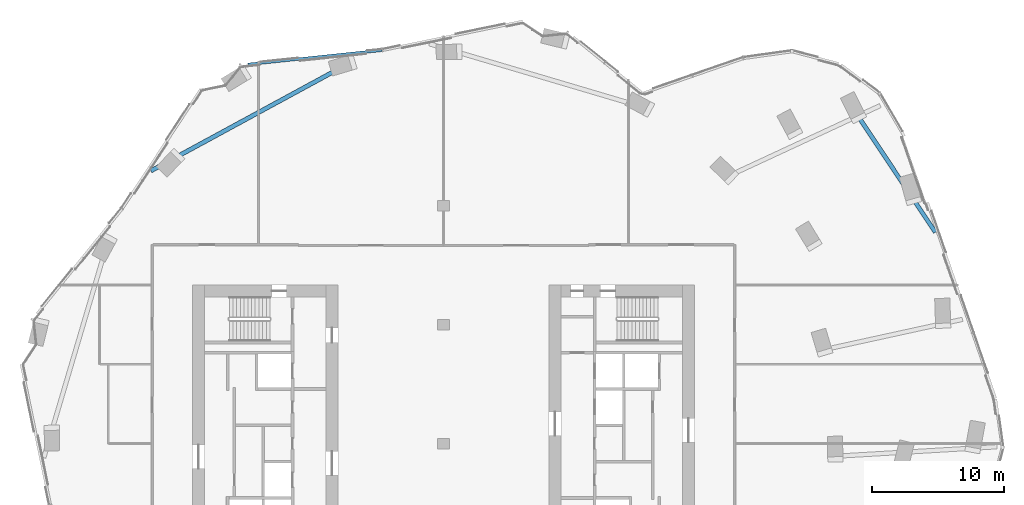
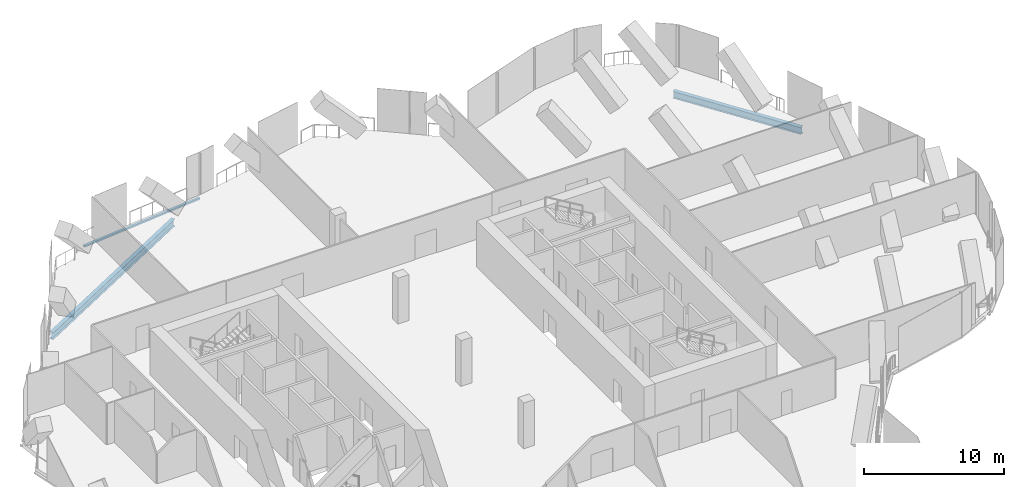
# One storey, part 9 of 26: 2 beams, 1 member, 1 element without a shape of its own.
"""IFC4 building model written with IfcOpenShell, lengths in metres."""

from ifc_helpers import new_model, si_unit, direction, frame, origin, origin_2d, place, context, subcontext, project, spatial, rectangle, i_section, extrude, material, material_profile, profile_set, type_object, element, aggregate, save


model = new_model("IFC4")

# Units and contexts
model_context = context("Model", 3, precision=1e-05, world=origin(), true_north=direction((0.0, 1.0)))
body_context = subcontext(model_context, "Body", "Model", "MODEL_VIEW")
ifc_project = project(units=[si_unit("LENGTHUNIT", "METRE"), si_unit("AREAUNIT", "SQUARE_METRE"), si_unit("VOLUMEUNIT", "CUBIC_METRE"), si_unit("PLANEANGLEUNIT", "RADIAN"), si_unit("MASSUNIT", "GRAM", prefix="KILO")], contexts=[model_context])

# Site, building, storey
site_placement = place(None, origin())
site = spatial("IfcSite", under=ifc_project, at=site_placement, CompositionType="ELEMENT")
building_placement = place(site_placement, origin())
building = spatial("IfcBuilding", under=site, at=building_placement, Name="Orlundy Tower", CompositionType="ELEMENT")
storey_placement = place(building_placement, frame((0.0, 0.0, 228.0)))
storey = spatial("IfcBuildingStorey", under=building, at=storey_placement, Name="L60", CompositionType="ELEMENT", Elevation=228.0)

# Beams
ifc_material_1 = material(Name="Steel ASTM A992 Gr 50", Category="steel")
ifc_material_profile_1 = material_profile(ifc_material_1, i_section(OverallWidth=0.32373046875, OverallDepth=0.611083984375, WebThickness=0.0126953125, FlangeThickness=0.01904296875, at=origin_2d()), Name="W24X104")
ifc_profile_set_1 = profile_set([ifc_material_profile_1], Name="Steel ASTM A992 Gr 50")
beam_type = type_object("IfcBeamType", Name="CANTILEVER GIRDER beam W24X104", PredefinedType="BEAM", material=ifc_profile_set_1)
beam_1_placement = place(storey_placement, frame((37.236328125, 15.9990234375, -0.7255859375), z_axis=(-0.554540915712, 0.832156459328, 0.0), x_axis=(-0.832156459328, -0.554540915712, 0.0)))
element("IfcBeam", 1, at=beam_1_placement, inside=storey, type_object=beam_type, Name="Cantilever girder C-A4-5 L60", PredefinedType="BEAM", context=body_context, shape_type="SweptSolid", body=[
    extrude(i_section(OverallWidth=0.32373046875, OverallDepth=0.611083984375, WebThickness=0.0126953125, FlangeThickness=0.01904296875, at=origin_2d()), origin(), (0.0, 0.0, 1.0), 10.258544921875),
])
beam_2_placement = place(storey_placement, frame((-22.16015625, 20.643310546875, -0.7255859375), z_axis=(0.878817713493, 0.477157653666, 0.0), x_axis=(-0.477157653666, 0.878817713493, 0.0)))
element("IfcBeam", 2, at=beam_2_placement, inside=storey, type_object=beam_type, Name="Cantilever girder C-H21 L60", PredefinedType="BEAM", context=body_context, shape_type="SweptSolid", body=[
    extrude(i_section(OverallWidth=0.32373046875, OverallDepth=0.611083984375, WebThickness=0.0126953125, FlangeThickness=0.01904296875, at=origin_2d()), origin(), (0.0, 0.0, 1.0), 16.70556640625),
])

# Curtain wall, member
ifc_material_2 = material(Name="Aluminium bronze anodised", Category="aluminium")
curtain_wall_type = type_object("IfcCurtainWallType", Name="CW5 wall", PredefinedType="NOTDEFINED", material=ifc_material_2)
curtain_wall_placement = place(storey_placement, origin())
curtain_wall = element("IfcCurtainWall", 3, at=curtain_wall_placement, inside=storey, type_object=curtain_wall_type, Name="CW5 run 011", PredefinedType="NOTDEFINED")
ifc_material_3 = material(Name="Aluminium bronze anodised", Category="aluminium")
ifc_material_profile_2 = material_profile(ifc_material_3, rectangle(XDim=0.199951171875, YDim=0.139892578125, at=origin_2d()), Name="CW5 transom 200x140")
ifc_profile_set_2 = profile_set([ifc_material_profile_2], Name="Aluminium bronze anodised")
member_type = type_object("IfcMemberType", Name="CW5 transom 200x140", PredefinedType="USERDEFINED", material=ifc_profile_set_2)
member_placement = place(storey_placement, frame((-14.819091796875, 28.70849609375, -0.35009765625), z_axis=(0.994524532468, 0.104503369891, 0.0), x_axis=(-0.104503369891, 0.994524532468, 0.0)))
member = element("IfcMember", 4, at=member_placement, type_object=member_type, Name="CW5 transom", ObjectType="TRANSOM", PredefinedType="USERDEFINED", context=body_context, shape_type="SweptSolid", body=[
    extrude(rectangle(XDim=0.199951171875, YDim=0.139892578125, at=origin_2d()), origin(), (0.0, 0.0, 1.0), 10.227783203125),
])
aggregate(curtain_wall, [member])

save(model, "model.ifc")
